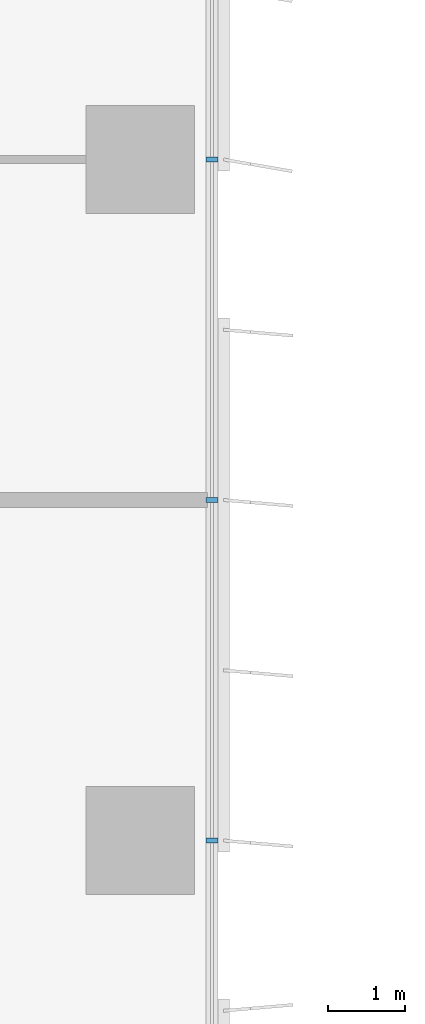
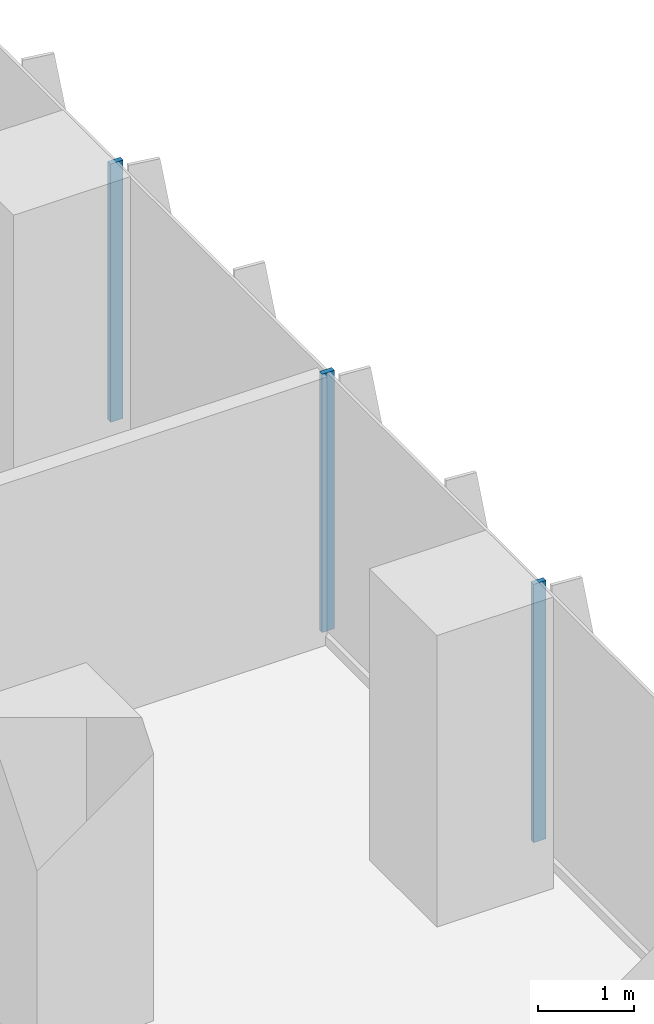
# One storey, part 7 of 24: 3 members, 1 element without a shape of its own.
"""IFC4 building model written with IfcOpenShell, lengths in metres."""

from ifc_helpers import new_model, si_unit, direction, frame, origin, origin_2d, place, context, subcontext, project, spatial, rectangle, extrude, source, transform, mapped, material, material_profile, profile_set, type_object, element, aggregate, save


model = new_model("IFC4")

# Units and contexts
model_context = context("Model", 3, precision=1e-05, world=origin(), true_north=direction((0.0, 1.0)))
body_context = subcontext(model_context, "Body", "Model", "MODEL_VIEW")
ifc_project = project(units=[si_unit("LENGTHUNIT", "METRE"), si_unit("AREAUNIT", "SQUARE_METRE"), si_unit("VOLUMEUNIT", "CUBIC_METRE"), si_unit("PLANEANGLEUNIT", "RADIAN"), si_unit("MASSUNIT", "GRAM", prefix="KILO")], contexts=[model_context])

# Site, building, storey
site_placement = place(None, origin())
site = spatial("IfcSite", under=ifc_project, at=site_placement, CompositionType="ELEMENT")
building_placement = place(site_placement, origin())
building = spatial("IfcBuilding", under=site, at=building_placement, Name="Kemantara Hotel Tower", CompositionType="ELEMENT")
storey_placement = place(building_placement, frame((0.0, 0.0, 41.39990234375)))
storey = spatial("IfcBuildingStorey", under=building, at=storey_placement, Name="L08", CompositionType="ELEMENT", Elevation=41.39990234375)

# Curtain wall, members
ifc_material_1 = material(Name="Low-E tinted double insulated glass 36 mm", Category="glass")
curtain_wall_type = type_object("IfcCurtainWallType", Name="TOWER CURTAIN WALL, FRONT FACES", PredefinedType="USERDEFINED", material=ifc_material_1)
curtain_wall_placement = place(storey_placement, origin())
curtain_wall = element("IfcCurtainWall", 1, at=curtain_wall_placement, inside=storey, type_object=curtain_wall_type, Name="CW4 L08 T1-R08-1", ObjectType="TOWER CURTAIN WALL, FRONT FACES", PredefinedType="USERDEFINED")
ifc_material_2 = material(Name="Aluminium 6063-T6 bronze anodised", Category="aluminium")
ifc_material_profile = material_profile(ifc_material_2, rectangle(XDim=0.14990234375, YDim=0.06005859375, at=origin_2d()), Name="TOWER CURTAIN WALL, FRONT FACES MULLION")
ifc_profile_set = profile_set([ifc_material_profile], Name="Aluminium 6063-T6 bronze anodised")
member_type = type_object("IfcMemberType", Name="TOWER CURTAIN WALL, FRONT FACES MULLION", PredefinedType="MULLION", material=ifc_profile_set)
shared_shape = source(origin(), body_context, "Body", "SweptSolid", [
    extrude(rectangle(XDim=0.14990234375, YDim=0.06005859375, at=origin_2d()), origin(), (0.0, 0.0, 1.0), 3.280029296875),
])
member_1_placement = place(storey_placement, frame((26.72509765625, 53.800048828125, 0.1201171875), z_axis=(0.0, 0.0, 1.0), x_axis=(-1.0, 0.0, 0.0)))
member_1 = element("IfcMember", 2, at=member_1_placement, type_object=member_type, Name="CW4 mullion T1-R08-1.8", PredefinedType="MULLION", context=body_context, shape_type="MappedRepresentation", body=[
    mapped(shared_shape, transform((0.0, 0.0, 0.0))),
])
member_2_placement = place(storey_placement, frame((26.72509765625, 58.199951171875, 0.1201171875), z_axis=(0.0, 0.0, 1.0), x_axis=(-1.0, 0.0, 0.0)))
member_2 = element("IfcMember", 3, at=member_2_placement, type_object=member_type, Name="CW4 mullion T1-R08-1.9", PredefinedType="MULLION", context=body_context, shape_type="MappedRepresentation", body=[
    mapped(shared_shape, transform((0.0, 0.0, 0.0))),
])
member_3_placement = place(storey_placement, frame((26.72509765625, 62.60009765625, 0.1201171875), z_axis=(0.0, 0.0, 1.0), x_axis=(-1.0, 0.0, 0.0)))
member_3 = element("IfcMember", 4, at=member_3_placement, type_object=member_type, Name="CW4 mullion T1-R08-1.10", PredefinedType="MULLION", context=body_context, shape_type="MappedRepresentation", body=[
    mapped(shared_shape, transform((0.0, 0.0, 0.0))),
])
aggregate(curtain_wall, [member_1, member_2, member_3])

save(model, "model.ifc")
